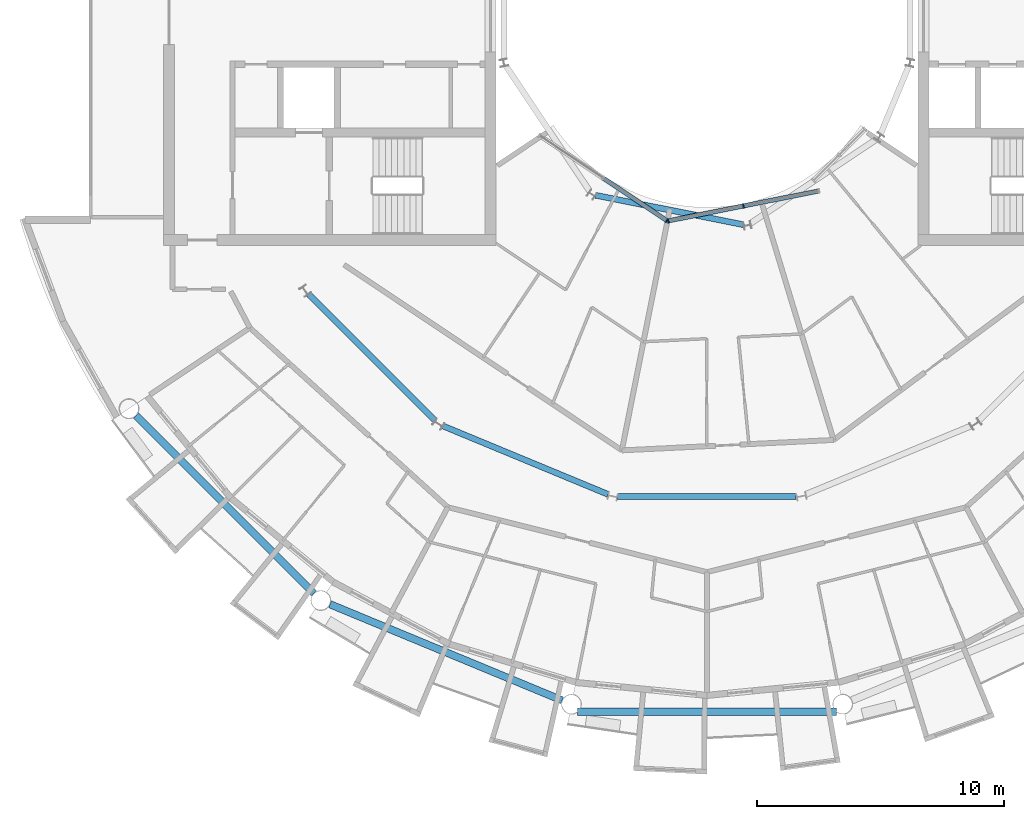
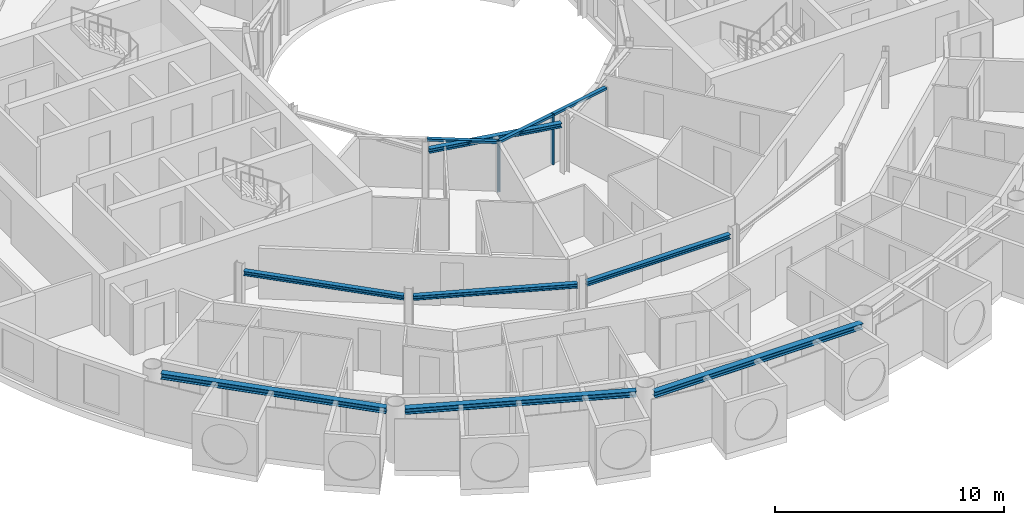
# One storey, part 6 of 29: 7 beams, 6 members, 2 elements without a shape of their own.
"""IFC4 building model written with IfcOpenShell, lengths in metres."""

from ifc_helpers import new_model, si_unit, direction, frame, origin, origin_2d, place, context, subcontext, project, spatial, rectangle, i_section, extrude, material, layer, layer_set, material_profile, profile_set, type_object, element, aggregate, save


model = new_model("IFC4")

# Units and contexts
model_context = context("Model", 3, precision=1e-05, world=origin(), true_north=direction((0.0, 1.0)))
body_context = subcontext(model_context, "Body", "Model", "MODEL_VIEW")
ifc_project = project(units=[si_unit("LENGTHUNIT", "METRE"), si_unit("AREAUNIT", "SQUARE_METRE"), si_unit("VOLUMEUNIT", "CUBIC_METRE"), si_unit("PLANEANGLEUNIT", "RADIAN"), si_unit("MASSUNIT", "GRAM", prefix="KILO")], contexts=[model_context])

# Site, building, storey
site_placement = place(None, origin())
site = spatial("IfcSite", under=ifc_project, at=site_placement, CompositionType="ELEMENT")
building_placement = place(site_placement, origin())
building = spatial("IfcBuilding", under=site, at=building_placement, Name="Maasbend Ring Residences", CompositionType="ELEMENT")
storey_placement = place(building_placement, frame((0.0, 0.0, 190.199951171875)))
storey = spatial("IfcBuildingStorey", under=building, at=storey_placement, Name="L54", CompositionType="ELEMENT", Elevation=190.199951171875)

# Curtain wall, member
ifc_material_1 = material(Name="Aluminium and clear glass", Category="aluminium")
ifc_layer = layer(ifc_material_1, 0.179931640625)
ifc_layer_set = layer_set([ifc_layer], Name="CW-W")
curtain_wall_type = type_object("IfcCurtainWallType", Name="CW-W", PredefinedType="NOTDEFINED", material=ifc_layer_set)
curtain_wall_1_placement = place(storey_placement, origin())
curtain_wall_1 = element("IfcCurtainWall", 1, at=curtain_wall_1_placement, inside=storey, type_object=curtain_wall_type, Name="Well curtain wall S1", PredefinedType="NOTDEFINED")
ifc_material_2 = material(Name="Aluminium 6063-T6", Category="aluminium")
ifc_material_profile_1 = material_profile(ifc_material_2, rectangle(XDim=0.179931640625, YDim=0.06005859375, at=origin_2d()), Name="AL 180x60")
ifc_profile_set_1 = profile_set([ifc_material_profile_1], Name="Aluminium 6063-T6")
member_type_1 = type_object("IfcMemberType", Name="CWM-W", PredefinedType="MULLION", material=ifc_profile_set_1)
member_1_placement = place(storey_placement, frame((-1.627685546875, -8.040771484375, 0.0), z_axis=(0.0, 0.0, 1.0), x_axis=(0.55557023302, 0.831469612303, 0.0)))
member_1 = element("IfcMember", 2, at=member_1_placement, type_object=member_type_1, Name="Mullion well face", PredefinedType="MULLION", context=body_context, shape_type="SweptSolid", body=[
    extrude(rectangle(XDim=0.179931640625, YDim=0.06005859375, at=origin_2d()), origin(), (0.0, 0.0, 1.0), 2.699951171875),
])

# Curtain wall, members
curtain_wall_2_placement = place(storey_placement, origin())
curtain_wall_2 = element("IfcCurtainWall", 3, at=curtain_wall_2_placement, inside=storey, type_object=curtain_wall_type, Name="Well curtain wall S2", PredefinedType="NOTDEFINED")
member_2_placement = place(storey_placement, frame((-1.5732421875, -8.0517578125, 0.0), z_axis=(0.0, 0.0, 1.0), x_axis=(-0.195090322016, 0.980785280403, 0.0)))
member_2 = element("IfcMember", 4, at=member_2_placement, type_object=member_type_1, Name="Mullion well face", PredefinedType="MULLION", context=body_context, shape_type="SweptSolid", body=[
    extrude(rectangle(XDim=0.179931640625, YDim=0.06005859375, at=origin_2d()), origin(), (0.0, 0.0, 1.0), 2.699951171875),
])
member_3_placement = place(storey_placement, frame((1.480712890625, -7.444091796875, 0.0), z_axis=(0.0, 0.0, 1.0), x_axis=(-0.195090322016, 0.980785280403, 0.0)))
member_3 = element("IfcMember", 5, at=member_3_placement, type_object=member_type_1, Name="Mullion well face", PredefinedType="MULLION", context=body_context, shape_type="SweptSolid", body=[
    extrude(rectangle(XDim=0.179931640625, YDim=0.06005859375, at=origin_2d()), origin(), (0.0, 0.0, 1.0), 2.699951171875),
])

# Member
ifc_material_3 = material(Name="Aluminium 6063-T6", Category="aluminium")
ifc_material_profile_2 = material_profile(ifc_material_3, rectangle(XDim=0.179931640625, YDim=0.1201171875, at=origin_2d()), Name="AL 180x120")
ifc_profile_set_2 = profile_set([ifc_material_profile_2], Name="Aluminium 6063-T6")
member_type_2 = type_object("IfcMemberType", Name="CWT-W", PredefinedType="USERDEFINED", material=ifc_profile_set_2)
member_4_placement = place(storey_placement, frame((-4.19189453125, -6.32763671875, 2.64013671875), z_axis=(0.831496422459, -0.555530106689, 0.0), x_axis=(0.555530106689, 0.831496422459, 0.0)))
member_4 = element("IfcMember", 6, at=member_4_placement, type_object=member_type_2, Name="Transom well face", ObjectType="TRANSOM", PredefinedType="USERDEFINED", context=body_context, shape_type="SweptSolid", body=[
    extrude(rectangle(XDim=0.179931640625, YDim=0.1201171875, at=origin_2d()), origin(), (0.0, 0.0, 1.0), 3.053955078125),
])

aggregate(curtain_wall_1, [member_1, member_4])

member_5_placement = place(storey_placement, frame((-1.5439453125, -8.0458984375, 2.64013671875), z_axis=(0.980776956105, 0.195132166424, 0.0), x_axis=(-0.195132166424, 0.980776956105, 0.0)))
member_5 = element("IfcMember", 7, at=member_5_placement, type_object=member_type_2, Name="Transom well face", ObjectType="TRANSOM", PredefinedType="USERDEFINED", context=body_context, shape_type="SweptSolid", body=[
    extrude(rectangle(XDim=0.179931640625, YDim=0.1201171875, at=origin_2d()), origin(), (0.0, 0.0, 1.0), 3.053955078125),
])

member_6_placement = place(storey_placement, frame((1.51025390625, -7.438232421875, 2.64013671875), z_axis=(0.980789210404, 0.19507056353, 0.0), x_axis=(-0.19507056353, 0.980789210404, 0.0)))
member_6 = element("IfcMember", 8, at=member_6_placement, type_object=member_type_2, Name="Transom well face", ObjectType="TRANSOM", PredefinedType="USERDEFINED", context=body_context, shape_type="SweptSolid", body=[
    extrude(rectangle(XDim=0.179931640625, YDim=0.1201171875, at=origin_2d()), origin(), (0.0, 0.0, 1.0), 3.0537109375),
])

aggregate(curtain_wall_2, [member_2, member_3, member_5, member_6])

# Beams
ifc_material_4 = material(Name="Steel S355J2", Category="steel")
ifc_material_profile_3 = material_profile(ifc_material_4, i_section(OverallWidth=0.239990234375, OverallDepth=0.22998046875, WebThickness=0.007568359375, FlangeThickness=0.011962890625, FilletRadius=0.02099609375, at=origin_2d()), Name="HEA 240")
ifc_profile_set_3 = profile_set([ifc_material_profile_3], Name="Steel S355J2")
beam_type_1 = type_object("IfcBeamType", Name="Corridor ring beam HEA 240", PredefinedType="BEAM", material=ifc_profile_set_3)
beam_1_placement = place(storey_placement, frame((-16.152587890625, -11.033447265625, 2.5849609375), z_axis=(0.707106781187, -0.707106781187, 0.0), x_axis=(0.707106781187, 0.707106781187, 0.0)))
element("IfcBeam", 9, at=beam_1_placement, inside=storey, type_object=beam_type_1, Name="Corridor ring beam", PredefinedType="BEAM", context=body_context, shape_type="SweptSolid", body=[
    extrude(i_section(OverallWidth=0.239990234375, OverallDepth=0.22998046875, WebThickness=0.007568359375, FlangeThickness=0.011962890625, FilletRadius=0.02099609375, at=origin_2d()), origin(), (0.0, 0.0, 1.0), 7.239501953125),
])
for number, where, z_axis, x_axis, name in (
    (10, (-10.70068359375, -16.374755859375, 2.5849609375), (0.923865162022, -0.382718123952, 0.0), (0.382718123952, 0.923865162022, 0.0), "Corridor ring beam"),
    (11, (-3.619873046875, -19.223388671875, 2.5849609375), (1.0, 0.0, 0.0), (0.0, 1.0, 0.0), "Corridor ring beam"),
):
    element("IfcBeam", number, at=place(storey_placement, frame(where, z_axis=z_axis, x_axis=x_axis)), inside=storey, type_object=beam_type_1, Name=name, PredefinedType="BEAM", context=body_context, shape_type="SweptSolid", body=[
        extrude(i_section(OverallWidth=0.239990234375, OverallDepth=0.22998046875, WebThickness=0.007568359375, FlangeThickness=0.011962890625, FilletRadius=0.02099609375, at=origin_2d()), origin(), (0.0, 0.0, 1.0), 7.23974609375),
    ])
ifc_material_5 = material(Name="Steel S355J2", Category="steel")
ifc_material_profile_4 = material_profile(ifc_material_5, i_section(OverallWidth=0.300048828125, OverallDepth=0.300048828125, WebThickness=0.010986328125, FlangeThickness=0.01904296875, FilletRadius=0.027099609375, at=origin_2d()), Name="HEB 300")
ifc_profile_set_4 = profile_set([ifc_material_profile_4], Name="Steel S355J2")
beam_type_2 = type_object("IfcBeamType", Name="Spandrel ring beam HEB 300", PredefinedType="SPANDREL", material=ifc_profile_set_4)
for number, where, z_axis, x_axis, name in (
    (12, (-23.159912109375, -15.95458984375, 2.550048828125), (0.707106781187, -0.707106781187, 0.0), (0.707106781187, 0.707106781187, 0.0), "Spandrel ring beam"),
    (13, (-15.29150390625, -23.60302734375, 2.550048828125), (0.923883676188, -0.382673428492, 0.0), (0.382673428492, 0.923883676188, 0.0), "Spandrel ring beam"),
):
    element("IfcBeam", number, at=place(storey_placement, frame(where, z_axis=z_axis, x_axis=x_axis)), inside=storey, type_object=beam_type_2, Name=name, PredefinedType="SPANDREL", context=body_context, shape_type="SweptSolid", body=[
        extrude(i_section(OverallWidth=0.300048828125, OverallDepth=0.300048828125, WebThickness=0.010986328125, FlangeThickness=0.01904296875, FilletRadius=0.027099609375, at=origin_2d()), origin(), (0.0, 0.0, 1.0), 10.18994140625),
    ])
beam_2_placement = place(storey_placement, frame((-5.2451171875, -27.9580078125, 2.550048828125), z_axis=(1.0, 0.0, 0.0), x_axis=(0.0, 1.0, 0.0)))
element("IfcBeam", 14, at=beam_2_placement, inside=storey, type_object=beam_type_2, Name="Spandrel ring beam", PredefinedType="SPANDREL", context=body_context, shape_type="SweptSolid", body=[
    extrude(i_section(OverallWidth=0.300048828125, OverallDepth=0.300048828125, WebThickness=0.010986328125, FlangeThickness=0.01904296875, FilletRadius=0.027099609375, at=origin_2d()), origin(), (0.0, 0.0, 1.0), 10.490234375),
])
ifc_material_6 = material(Name="Steel S355J2", Category="steel")
ifc_material_profile_5 = material_profile(ifc_material_6, i_section(OverallWidth=0.239990234375, OverallDepth=0.22998046875, WebThickness=0.007568359375, FlangeThickness=0.011962890625, FilletRadius=0.02099609375, at=origin_2d()), Name="HEA 240")
ifc_profile_set_5 = profile_set([ifc_material_profile_5], Name="Steel S355J2")
beam_type_3 = type_object("IfcBeamType", Name="Well edge beam HEA 240", PredefinedType="BEAM", material=ifc_profile_set_5)
beam_3_placement = place(storey_placement, frame((-4.512939453125, -7.014892578125, 2.5849609375), z_axis=(0.980782836869, -0.195102606089, 0.0), x_axis=(0.195102606089, 0.980782836869, 0.0)))
element("IfcBeam", 15, at=beam_3_placement, inside=storey, type_object=beam_type_3, Name="Well edge beam", PredefinedType="BEAM", context=body_context, shape_type="SweptSolid", body=[
    extrude(i_section(OverallWidth=0.239990234375, OverallDepth=0.22998046875, WebThickness=0.007568359375, FlangeThickness=0.011962890625, FilletRadius=0.02099609375, at=origin_2d()), origin(), (0.0, 0.0, 1.0), 6.115234375),
])

save(model, "model.ifc")
